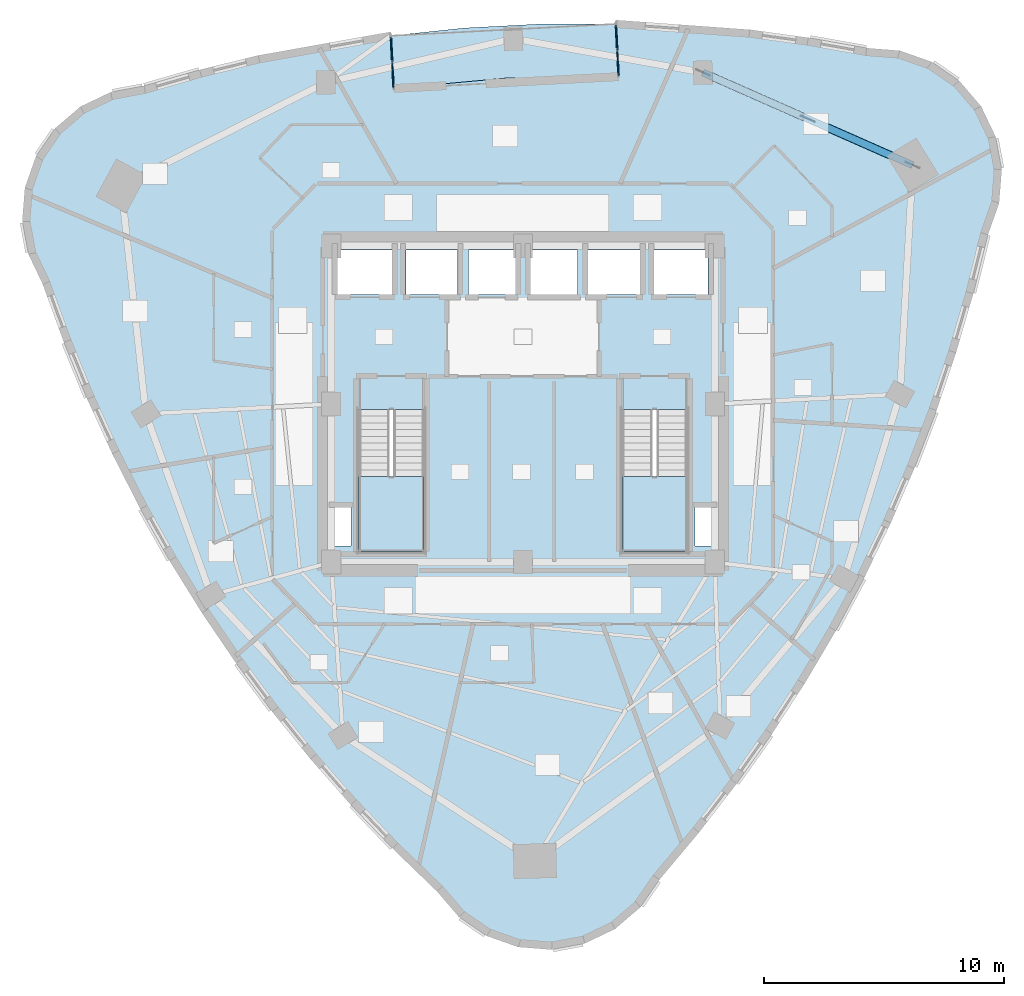
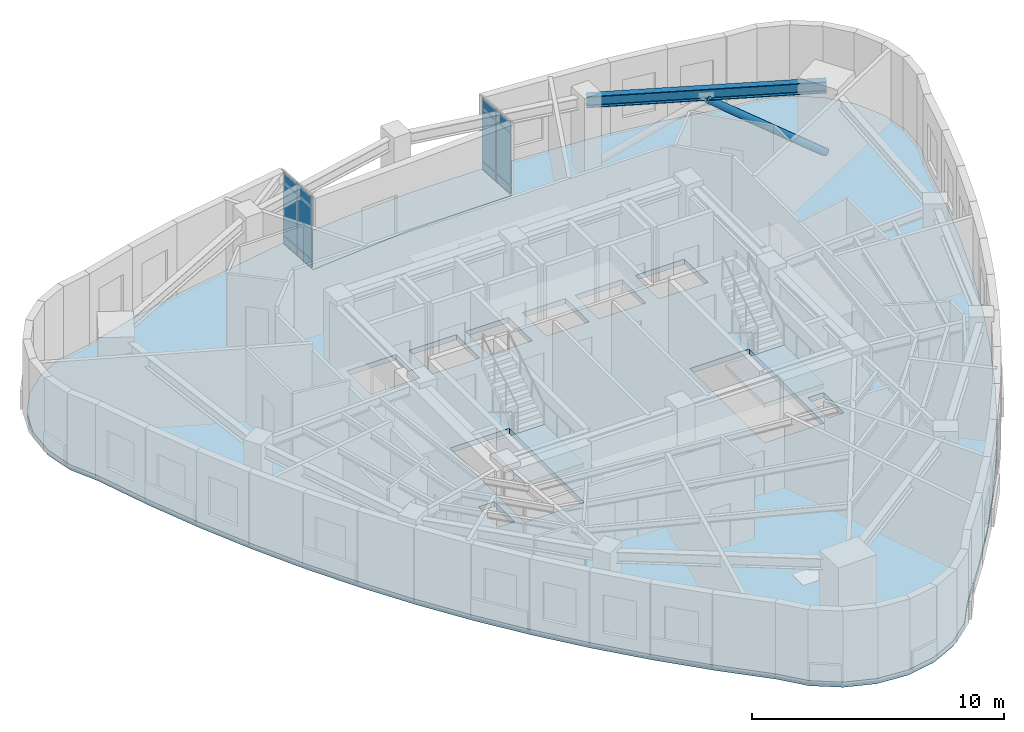
# One storey, part 4 of 12: 12 plates, 4 slabs, 1 beam, 1 member, 4 elements without a shape of their own.
"""IFC4 building model written with IfcOpenShell, lengths in metres."""

import ifcopenshell
import ifcopenshell.guid

model = None  # the IFC model being written
_history = None  # IfcOwnerHistory: only IFC2X3 demands one
_inside = {}  # id of a spatial element -> (the spatial element, [elements in it])
_under = {}  # id of a project, library or spatial element -> (it, [spatial elements below it])
_declared = {}  # id of a project -> (the project, [libraries it declares])
_typed = {}  # id of a type object -> (the type object, [elements of that type])
_made_of = {}  # id of a material, layer set ... -> (it, [elements and type objects made of it])


def new_model(schema):
    """Start an empty IFC model of exactly this schema.

    Asked for "IFC4X3", IfcOpenShell would pick the latest addendum, in which some entities
    have other attributes; the version numbers below select the first issue.
    IFC2X3 requires an IfcOwnerHistory on every rooted entity: one is made here for all.
    """
    global model, _history
    if schema == "IFC4X3":
        model = ifcopenshell.file(schema_version=(4, 3, 0, 0))
    else:
        model = ifcopenshell.file(schema=schema)
    _inside.clear()
    _under.clear()
    _declared.clear()
    _typed.clear()
    _made_of.clear()
    _history = None
    if model.schema == "IFC2X3":
        org = make("IfcOrganization", Name="unknown")
        user = make(
            "IfcPersonAndOrganization",
            ThePerson=make("IfcPerson", FamilyName="unknown"),
            TheOrganization=org,
        )
        app = make(
            "IfcApplication",
            ApplicationDeveloper=org,
            Version="unknown",
            ApplicationFullName="unknown",
            ApplicationIdentifier="unknown",
        )
        _history = make(
            "IfcOwnerHistory",
            OwningUser=user,
            OwningApplication=app,
            ChangeAction="ADDED",
            CreationDate=0,
        )
    return model


def make(cls, **values):
    """One entity of the class cls with the attributes given. An attribute that is None is left unset."""
    return model.create_entity(
        cls, **{name: value for name, value in values.items() if value is not None}
    )


def rooted(cls, **values):
    """An entity with a GlobalId (a new one), such as an element, a storey or a relation."""
    return make(cls, GlobalId=ifcopenshell.guid.new(), OwnerHistory=_history, **values)


def si_unit(unit_type, name, prefix=None):
    """IfcSIUnit, for example si_unit("LENGTHUNIT", "METRE", prefix="MILLI")."""
    return make("IfcSIUnit", UnitType=unit_type, Prefix=prefix, Name=name)


def assignment(units):
    """IfcUnitAssignment: the units of a project."""
    return None if units is None else make("IfcUnitAssignment", Units=units)


def point(xyz):
    """IfcCartesianPoint."""
    return None if xyz is None else make("IfcCartesianPoint", Coordinates=xyz)


def direction(xyz):
    """IfcDirection."""
    return None if xyz is None else make("IfcDirection", DirectionRatios=xyz)


def frame(location, z_axis=None, x_axis=None):
    """IfcAxis2Placement3D, a coordinate frame: its origin and axes. An axis left out is left unset."""
    return make(
        "IfcAxis2Placement3D",
        Location=point(location),
        Axis=direction(z_axis),
        RefDirection=direction(x_axis),
    )


def frame_2d(location, x_axis=None):
    """IfcAxis2Placement2D, a coordinate frame in the plane: its origin and x axis."""
    return make(
        "IfcAxis2Placement2D", Location=point(location), RefDirection=direction(x_axis)
    )


def origin():
    """The frame at (0, 0, 0) with its axes left unset."""
    return frame((0.0, 0.0, 0.0))


def origin_2d():
    """The frame at (0, 0) in the plane with its x axis left unset."""
    return frame_2d((0.0, 0.0))


def place(relative_to, where):
    """IfcLocalPlacement: puts the frame where relative to a parent placement (None: the world)."""
    return make(
        "IfcLocalPlacement", PlacementRelTo=relative_to, RelativePlacement=where
    )


def context(
    kind, dimensions, precision=None, world=None, true_north=None, identifier=None
):
    """IfcGeometricRepresentationContext, for example the 3D "Model" context."""
    return make(
        "IfcGeometricRepresentationContext",
        ContextIdentifier=identifier,
        ContextType=kind,
        CoordinateSpaceDimension=dimensions,
        Precision=precision,
        WorldCoordinateSystem=world,
        TrueNorth=true_north,
    )


def subcontext(parent, identifier, kind, view, scale=None):
    """IfcGeometricRepresentationSubContext, for example "Body" below "Model"."""
    return make(
        "IfcGeometricRepresentationSubContext",
        ContextIdentifier=identifier,
        ContextType=kind,
        ParentContext=parent,
        TargetScale=scale,
        TargetView=view,
    )


def project(units=None, contexts=None):
    """IfcProject with its units and contexts."""
    return rooted(
        "IfcProject",
        Name="project",
        RepresentationContexts=contexts,
        UnitsInContext=assignment(units),
    )


def spatial(cls, under=None, at=None, **own):
    """A site, building, storey or space (cls), placed at a placement, below another one or the project."""
    s = rooted(cls, ObjectPlacement=at, **own)
    if under is not None:
        _under.setdefault(under.id(), (under, []))[1].append(s)
    return s


def polyline(points):
    """IfcPolyline through the points."""
    return make("IfcPolyline", Points=[point(p) for p in points])


def profile(cls, at=None, kind="AREA", **sizes):
    """A parametric profile (cls). Its sizes go by their IFC names, for example OverallWidth=200.0."""
    return make(cls, ProfileType=kind, Position=at, **sizes)


def rectangle(**sizes):
    """IfcRectangleProfileDef."""
    return profile("IfcRectangleProfileDef", **sizes)


def hollow_circle(**sizes):
    """IfcCircleHollowProfileDef."""
    return profile("IfcCircleHollowProfileDef", **sizes)


def i_section(**sizes):
    """IfcIShapeProfileDef."""
    return profile("IfcIShapeProfileDef", **sizes)


def outline(outer, holes=None, kind="AREA"):
    """IfcArbitraryClosedProfileDef: a profile drawn as a closed curve; with holes, ...WithVoids."""
    if holes is None:
        return make("IfcArbitraryClosedProfileDef", ProfileType=kind, OuterCurve=outer)
    return make(
        "IfcArbitraryProfileDefWithVoids",
        ProfileType=kind,
        OuterCurve=outer,
        InnerCurves=holes,
    )


def extrude(swept, where, along, depth):
    """IfcExtrudedAreaSolid: the profile swept, set in the frame where, extruded along a direction by depth."""
    return make(
        "IfcExtrudedAreaSolid",
        SweptArea=swept,
        Position=where,
        ExtrudedDirection=direction(along),
        Depth=depth,
    )


def shape(context_of_items, identifier, shape_type, items):
    """IfcShapeRepresentation: the items that make up one representation, for example the "Body"."""
    return make(
        "IfcShapeRepresentation",
        ContextOfItems=context_of_items,
        RepresentationIdentifier=identifier,
        RepresentationType=shape_type,
        Items=items,
    )


def material(Name=None, Category=None):
    """IfcMaterial."""
    return make("IfcMaterial", Name=Name, Category=Category)


def layer(
    of_material, thickness, ventilated=None, Name=None, Category=None, Priority=None
):
    """IfcMaterialLayer: one layer of a wall or slab, of a material (None: an air gap)."""
    return make(
        "IfcMaterialLayer",
        Material=of_material,
        LayerThickness=thickness,
        IsVentilated=ventilated,
        Name=Name,
        Category=Category,
        Priority=Priority,
    )


def layer_set(layers, Name=None):
    """IfcMaterialLayerSet."""
    return make("IfcMaterialLayerSet", MaterialLayers=layers, LayerSetName=Name)


def material_profile(
    of_material, cross_section, Name=None, Category=None, Priority=None
):
    """IfcMaterialProfile: a cross section and its material."""
    return make(
        "IfcMaterialProfile",
        Name=Name,
        Material=of_material,
        Profile=cross_section,
        Priority=Priority,
        Category=Category,
    )


def profile_set(profiles, Name=None, composite=None):
    """IfcMaterialProfileSet."""
    return make(
        "IfcMaterialProfileSet",
        Name=Name,
        MaterialProfiles=profiles,
        CompositeProfile=composite,
    )


def made_of(thing, what):
    """Note that an element or type object is made of a material, layer set ...; save() writes the relation."""
    if what is not None:
        _made_of.setdefault(what.id(), (what, []))[1].append(thing)
    return thing


def type_object(cls, material=None, **own):
    """A type object (cls), such as IfcWallType, which elements share."""
    return made_of(rooted(cls, **own), material)


def element(
    cls,
    number,
    at=None,
    inside=None,
    cuts=None,
    type_object=None,
    material=None,
    context=None,
    identifier="Body",
    shape_type=None,
    held_by="IfcProductDefinitionShape",
    body=None,
    shapes=None,
    **own,
):
    """One element of the class cls, such as IfcWall. Its Tag is "e" and its number.

    at: its placement. inside: the storey or other place that contains it. cuts: it is an
    opening in that element (IfcRelVoidsElement). A single representation is given by context,
    identifier, shape_type and body (its items); several are given by shapes. held_by: the class
    of the entity that holds the representations. save() writes the other relations.
    """
    e = rooted(cls, Tag="e%d" % number, ObjectPlacement=at, **own)
    if body is not None:
        shapes = [shape(context, identifier, shape_type, body)]
    if shapes is not None:
        e.Representation = make(held_by, Representations=shapes)
    if inside is not None:
        _inside.setdefault(inside.id(), (inside, []))[1].append(e)
    if cuts is not None:
        rooted(
            "IfcRelVoidsElement", RelatingBuildingElement=cuts, RelatedOpeningElement=e
        )
    if type_object is not None:
        _typed.setdefault(type_object.id(), (type_object, []))[1].append(e)
    return made_of(e, material)


def aggregate(whole, parts):
    """IfcRelAggregates: a whole, such as a stair, and the parts it consists of."""
    return rooted("IfcRelAggregates", RelatingObject=whole, RelatedObjects=parts)


def save(model, path):
    """Write the relations noted so far, then the file.

    IfcRelAggregates (storeys below a building ...), IfcRelContainedInSpatialStructure (elements
    in a storey), IfcRelDefinesByType, IfcRelAssociatesMaterial and IfcRelDeclares: one each for
    every whole, place, type object, material and project.
    """
    for whole, parts in _under.values():
        aggregate(whole, parts)
    for where, things in _inside.values():
        rooted(
            "IfcRelContainedInSpatialStructure",
            RelatedElements=things,
            RelatingStructure=where,
        )
    for kind, things in _typed.values():
        rooted("IfcRelDefinesByType", RelatedObjects=things, RelatingType=kind)
    for what, things in _made_of.values():
        rooted("IfcRelAssociatesMaterial", RelatedObjects=things, RelatingMaterial=what)
    for by, libraries in _declared.values():
        rooted("IfcRelDeclares", RelatingContext=by, RelatedDefinitions=libraries)
    model.write(path)


model = new_model("IFC4")

# Units and contexts
model_context = context("Model", 3, precision=1e-05, world=origin(), true_north=direction((0.0, 1.0)))
body_context = subcontext(model_context, "Body", "Model", "MODEL_VIEW")
ifc_project = project(units=[si_unit("LENGTHUNIT", "METRE"), si_unit("AREAUNIT", "SQUARE_METRE"), si_unit("VOLUMEUNIT", "CUBIC_METRE"), si_unit("PLANEANGLEUNIT", "RADIAN"), si_unit("MASSUNIT", "GRAM", prefix="KILO")], contexts=[model_context])

# Site, building, storey
site_placement = place(None, origin())
site = spatial("IfcSite", under=ifc_project, at=site_placement, CompositionType="ELEMENT")
building_placement = place(site_placement, origin())
building = spatial("IfcBuilding", under=site, at=building_placement, Name="Ndelora Gate Hotel", CompositionType="ELEMENT")
storey_placement = place(building_placement, frame((0.0, 0.0, 220.75)))
storey = spatial("IfcBuildingStorey", under=building, at=storey_placement, Name="L55", CompositionType="ELEMENT", Elevation=220.75)

# Beam
ifc_material_1 = material(Name="Steel S355", Category="steel")
ifc_material_profile_1 = material_profile(ifc_material_1, i_section(OverallWidth=0.300048828125, OverallDepth=0.550048828125, WebThickness=0.014892578125, FlangeThickness=0.029052734375, FilletRadius=0.027099609375, at=origin_2d()), Name="HEB 550")
ifc_profile_set_1 = profile_set([ifc_material_profile_1], Name="Steel S355")
beam_type = type_object("IfcBeamType", Name="BM-RING-550", PredefinedType="SPANDREL", material=ifc_profile_set_1)
beam_placement = place(storey_placement, frame((16.26025390625, 9.96435546875, 3.27490234375), z_axis=(-0.914807449647, 0.403890245078, 0.0), x_axis=(-0.403890245078, -0.914807449647, 0.0)))
element("IfcBeam", 1, at=beam_placement, inside=storey, type_object=beam_type, Name="L55 Perimeter Spandrel Girder 9", PredefinedType="SPANDREL", context=body_context, shape_type="SweptSolid", body=[
    extrude(i_section(OverallWidth=0.300048828125, OverallDepth=0.550048828125, WebThickness=0.014892578125, FlangeThickness=0.029052734375, FilletRadius=0.027099609375, at=origin_2d()), origin(), (0.0, 0.0, 1.0), 9.56689453125),
])

# Member
ifc_material_profile_2 = material_profile(ifc_material_1, hollow_circle(Radius=0.161865234375, WallThickness=0.01611328125, at=origin_2d()), Name="CHS 323.9x16")
ifc_profile_set_2 = profile_set([ifc_material_profile_2], Name="Steel S355")
member_type = type_object("IfcMemberType", Name="MB-TUBE-324", PredefinedType="BRACE", material=ifc_profile_set_2)
member_placement = place(storey_placement, frame((16.26025390625, 9.96435546875, 0.02001953125), z_axis=(-0.776456490622, 0.342829539544, 0.528756300186), x_axis=(-0.403911600956, -0.914798020665, 0.0)))
element("IfcMember", 2, at=member_placement, inside=storey, type_object=member_type, Name="L55 Perimeter Braced-Tube Diagonal 9A", PredefinedType="BRACE", context=body_context, shape_type="SweptSolid", body=[
    extrude(hollow_circle(Radius=0.161865234375, WallThickness=0.01611328125, at=origin_2d()), origin(), (0.0, 0.0, 1.0), 5.6357421875),
])

# Curtain wall, plates
ifc_material_2 = material(Name="Bronze Anodised Unitised Aluminium and Low-E Glass", Category="aluminium")
ifc_layer_1 = layer(ifc_material_2, 0.199951171875)
ifc_layer_set_1 = layer_set([ifc_layer_1], Name="Bronze Anodised Unitised Aluminium and Low-E Glass")
curtain_wall_type = type_object("IfcCurtainWallType", Name="CW-SYS-3", PredefinedType="NOTDEFINED", material=ifc_layer_set_1)
curtain_wall_1_placement = place(storey_placement, origin())
curtain_wall_1 = element("IfcCurtainWall", 3, at=curtain_wall_1_placement, inside=storey, type_object=curtain_wall_type, Name="L55 Sky-Garden Loggia Side Curtain Wall CW3-1", PredefinedType="NOTDEFINED")
ifc_material_3 = material(Name="Solar-Control Low-E Insulated Glazing", Category="glass")
ifc_layer_2 = layer(ifc_material_3, 0.048095703125)
ifc_layer_set_2 = layer_set([ifc_layer_2], Name="Solar-Control Low-E Insulated Glazing")
plate_type = type_object("IfcPlateType", Name="PL-CW-GLZ36", PredefinedType="CURTAIN_PANEL", material=ifc_layer_set_2)
plate_1_placement = place(storey_placement, frame((3.961181640625, 14.222900390625, 0.05908203125), z_axis=(0.0, 0.0, 1.0), x_axis=(-0.052317873695, 0.998630482257, 0.0)))
plate_1 = element("IfcPlate", 4, at=plate_1_placement, type_object=plate_type, Name="CW3 panel 1.1", PredefinedType="CURTAIN_PANEL", context=body_context, shape_type="SweptSolid", body=[
    extrude(rectangle(XDim=1.014404296875, YDim=0.048095703125, at=origin_2d()), origin(), (0.0, 0.0, 1.0), 0.364501953125),
])
plate_2_placement = place(storey_placement, frame((3.961181640625, 14.222900390625, 0.4765625), z_axis=(0.0, 0.0, 1.0), x_axis=(-0.052317873695, 0.998630482257, 0.0)))
plate_2 = element("IfcPlate", 5, at=plate_2_placement, type_object=plate_type, Name="CW3 panel 1.2", PredefinedType="CURTAIN_PANEL", context=body_context, shape_type="SweptSolid", body=[
    extrude(rectangle(XDim=1.014404296875, YDim=0.048095703125, at=origin_2d()), origin(), (0.0, 0.0, 1.0), 2.4970703125),
])
plate_3_placement = place(storey_placement, frame((3.961181640625, 14.222900390625, 3.0263671875), z_axis=(0.0, 0.0, 1.0), x_axis=(-0.052317873695, 0.998630482257, 0.0)))
plate_3 = element("IfcPlate", 6, at=plate_3_placement, type_object=plate_type, Name="CW3 panel 1.3", PredefinedType="CURTAIN_PANEL", context=body_context, shape_type="SweptSolid", body=[
    extrude(rectangle(XDim=1.014404296875, YDim=0.048095703125, at=origin_2d()), origin(), (0.0, 0.0, 1.0), 0.464599609375),
])
plate_4_placement = place(storey_placement, frame((3.9052734375, 15.2890625, 0.05908203125), z_axis=(0.0, 0.0, 1.0), x_axis=(-0.052317873695, 0.998630482257, 0.0)))
plate_4 = element("IfcPlate", 7, at=plate_4_placement, type_object=plate_type, Name="CW3 panel 2.1", PredefinedType="CURTAIN_PANEL", context=body_context, shape_type="SweptSolid", body=[
    extrude(rectangle(XDim=1.014404296875, YDim=0.048095703125, at=origin_2d()), origin(), (0.0, 0.0, 1.0), 0.364501953125),
])
plate_5_placement = place(storey_placement, frame((3.9052734375, 15.2890625, 0.4765625), z_axis=(0.0, 0.0, 1.0), x_axis=(-0.052317873695, 0.998630482257, 0.0)))
plate_5 = element("IfcPlate", 8, at=plate_5_placement, type_object=plate_type, Name="CW3 panel 2.2", PredefinedType="CURTAIN_PANEL", context=body_context, shape_type="SweptSolid", body=[
    extrude(rectangle(XDim=1.014404296875, YDim=0.048095703125, at=origin_2d()), origin(), (0.0, 0.0, 1.0), 2.4970703125),
])
plate_6_placement = place(storey_placement, frame((3.9052734375, 15.2890625, 3.0263671875), z_axis=(0.0, 0.0, 1.0), x_axis=(-0.052317873695, 0.998630482257, 0.0)))
plate_6 = element("IfcPlate", 9, at=plate_6_placement, type_object=plate_type, Name="CW3 panel 2.3", PredefinedType="CURTAIN_PANEL", context=body_context, shape_type="SweptSolid", body=[
    extrude(rectangle(XDim=1.014404296875, YDim=0.048095703125, at=origin_2d()), origin(), (0.0, 0.0, 1.0), 0.464599609375),
])
aggregate(curtain_wall_1, [plate_1, plate_2, plate_3, plate_4, plate_5, plate_6])

curtain_wall_2_placement = place(storey_placement, origin())
curtain_wall_2 = element("IfcCurtainWall", 10, at=curtain_wall_2_placement, inside=storey, type_object=curtain_wall_type, Name="L55 Sky-Garden Loggia Side Curtain Wall CW3-2", PredefinedType="NOTDEFINED")
plate_7_placement = place(storey_placement, frame((-5.48193359375, 14.797119140625, 0.05908203125), z_axis=(0.0, 0.0, 1.0), x_axis=(0.052363203389, -0.998628106419, 0.0)))
plate_7 = element("IfcPlate", 11, at=plate_7_placement, type_object=plate_type, Name="CW3 panel 1.1", PredefinedType="CURTAIN_PANEL", context=body_context, shape_type="SweptSolid", body=[
    extrude(rectangle(XDim=1.014404296875, YDim=0.048095703125, at=origin_2d()), origin(), (0.0, 0.0, 1.0), 0.364501953125),
])
plate_8_placement = place(storey_placement, frame((-5.48193359375, 14.797119140625, 0.4765625), z_axis=(0.0, 0.0, 1.0), x_axis=(0.052363203389, -0.998628106419, 0.0)))
plate_8 = element("IfcPlate", 12, at=plate_8_placement, type_object=plate_type, Name="CW3 panel 1.2", PredefinedType="CURTAIN_PANEL", context=body_context, shape_type="SweptSolid", body=[
    extrude(rectangle(XDim=1.014404296875, YDim=0.048095703125, at=origin_2d()), origin(), (0.0, 0.0, 1.0), 2.4970703125),
])
plate_9_placement = place(storey_placement, frame((-5.48193359375, 14.797119140625, 3.0263671875), z_axis=(0.0, 0.0, 1.0), x_axis=(0.052363203389, -0.998628106419, 0.0)))
plate_9 = element("IfcPlate", 13, at=plate_9_placement, type_object=plate_type, Name="CW3 panel 1.3", PredefinedType="CURTAIN_PANEL", context=body_context, shape_type="SweptSolid", body=[
    extrude(rectangle(XDim=1.014404296875, YDim=0.048095703125, at=origin_2d()), origin(), (0.0, 0.0, 1.0), 0.464599609375),
])
plate_10_placement = place(storey_placement, frame((-5.426025390625, 13.73095703125, 0.05908203125), z_axis=(0.0, 0.0, 1.0), x_axis=(0.052363203389, -0.998628106419, 0.0)))
plate_10 = element("IfcPlate", 14, at=plate_10_placement, type_object=plate_type, Name="CW3 panel 2.1", PredefinedType="CURTAIN_PANEL", context=body_context, shape_type="SweptSolid", body=[
    extrude(rectangle(XDim=1.014404296875, YDim=0.048095703125, at=origin_2d()), origin(), (0.0, 0.0, 1.0), 0.364501953125),
])
plate_11_placement = place(storey_placement, frame((-5.426025390625, 13.73095703125, 0.4765625), z_axis=(0.0, 0.0, 1.0), x_axis=(0.052363203389, -0.998628106419, 0.0)))
plate_11 = element("IfcPlate", 15, at=plate_11_placement, type_object=plate_type, Name="CW3 panel 2.2", PredefinedType="CURTAIN_PANEL", context=body_context, shape_type="SweptSolid", body=[
    extrude(rectangle(XDim=1.014404296875, YDim=0.048095703125, at=origin_2d()), origin(), (0.0, 0.0, 1.0), 2.4970703125),
])
plate_12_placement = place(storey_placement, frame((-5.426025390625, 13.73095703125, 3.0263671875), z_axis=(0.0, 0.0, 1.0), x_axis=(0.052363203389, -0.998628106419, 0.0)))
plate_12 = element("IfcPlate", 16, at=plate_12_placement, type_object=plate_type, Name="CW3 panel 2.3", PredefinedType="CURTAIN_PANEL", context=body_context, shape_type="SweptSolid", body=[
    extrude(rectangle(XDim=1.014404296875, YDim=0.048095703125, at=origin_2d()), origin(), (0.0, 0.0, 1.0), 0.464599609375),
])
aggregate(curtain_wall_2, [plate_7, plate_8, plate_9, plate_10, plate_11, plate_12])

# Stair, slab
ifc_material_4 = material(Name="Precast concrete C40/50", Category="concrete")
stair_type = type_object("IfcStairType", Name="STR-DOG-CORE", PredefinedType="HALF_TURN_STAIR", material=ifc_material_4)
stair_1_placement = place(storey_placement, origin())
stair_1 = element("IfcStair", 17, at=stair_1_placement, inside=storey, type_object=stair_type, Name="L55 Protected Core Exit Stair ST4", PredefinedType="HALF_TURN_STAIR")
ifc_layer_3 = layer(ifc_material_4, 0.219970703125)
ifc_layer_set_3 = layer_set([ifc_layer_3], Name="Precast concrete C40/50")
slab_type_1 = type_object("IfcSlabType", Name="SL-LAND-220", PredefinedType="LANDING", material=ifc_layer_set_3)
slab_1_placement = place(storey_placement, frame((0.0, 0.0, 1.699951171875)))
slab_1 = element("IfcSlab", 18, at=slab_1_placement, type_object=slab_type_1, Name="ST4 landing 1", PredefinedType="LANDING", context=body_context, shape_type="SweptSolid", body=[
    extrude(outline(polyline([(-6.85009765625, -3.030029296875), (-6.85009765625, -6.14990234375), (-4.1298828125, -6.14990234375), (-4.1298828125, -3.030029296875), (-6.85009765625, -3.030029296875)])), origin(), (0.0, 0.0, 1.0), 0.199951171875),
])
aggregate(stair_1, [slab_1])

stair_2_placement = place(storey_placement, origin())
stair_2 = element("IfcStair", 19, at=stair_2_placement, inside=storey, type_object=stair_type, Name="L55 Protected Core Exit Stair ST5", PredefinedType="HALF_TURN_STAIR")
slab_2_placement = place(storey_placement, frame((0.0, 0.0, 1.699951171875)))
slab_2 = element("IfcSlab", 20, at=slab_2_placement, type_object=slab_type_1, Name="ST5 landing 1", PredefinedType="LANDING", context=body_context, shape_type="SweptSolid", body=[
    extrude(outline(polyline([(4.1298828125, -3.030029296875), (4.1298828125, -6.14990234375), (6.85009765625, -6.14990234375), (6.85009765625, -3.030029296875), (4.1298828125, -3.030029296875)])), origin(), (0.0, 0.0, 1.0), 0.199951171875),
])
aggregate(stair_2, [slab_2])

# Slabs
ifc_layer_4 = layer(ifc_material_4, 0.239990234375)
ifc_layer_set_4 = layer_set([ifc_layer_4], Name="Precast concrete C40/50")
slab_type_2 = type_object("IfcSlabType", Name="SL-TER-240", PredefinedType="FLOOR", material=ifc_layer_set_4)
slab_3_placement = place(storey_placement, frame((0.0, 0.0, -0.239990234375)))
element("IfcSlab", 21, at=slab_3_placement, inside=storey, type_object=slab_type_2, Name="L55 Sky Garden Loggia Terrace Slab", PredefinedType="FLOOR", context=body_context, shape_type="SweptSolid", body=[
    extrude(outline(polyline([(3.99072265625, 13.657470703125), (3.87548828125, 15.8544921875), (0.769287109375, 15.854736328125), (-2.42236328125, 15.6875), (-5.51171875, 15.362548828125), (-5.396484375, 13.16552734375), (-0.71240234375, 13.595458984375), (3.99072265625, 13.657470703125)])), origin(), (0.0, 0.0, 1.0), 0.239990234375),
])
ifc_material_5 = material(Name="Concrete C40/50", Category="concrete")
ifc_layer_5 = layer(ifc_material_5, 0.25)
ifc_layer_set_5 = layer_set([ifc_layer_5], Name="Concrete C40/50")
slab_type_3 = type_object("IfcSlabType", Name="SL-TWR-250", PredefinedType="FLOOR", material=ifc_layer_set_5)
slab_4_placement = place(storey_placement, frame((0.0, 0.0, -0.25)))
element("IfcSlab", 22, at=slab_4_placement, inside=storey, type_object=slab_type_3, Name="L55 Structural Floor Slab", PredefinedType="FLOOR", context=body_context, shape_type="SweptSolid", body=[
    extrude(outline(polyline([(-15.80078125, 13.10498046875), (-17.135498046875, 12.85791015625), (-18.36083984375, 12.2734375), (-19.39306640625, 11.391845703125), (-20.161865234375, 10.27294921875), (-20.614990234375, 8.993408203125), (-20.7216796875, 7.64013671875), (-20.47412109375, 6.305419921875), (-19.889892578125, 5.080078125), (-19.006591796875, 2.654296875), (-18.034912109375, 0.285888671875), (-16.974609375, -2.025146484375), (-15.825927734375, -4.278564453125), (-14.588623046875, -6.474609375), (-13.262939453125, -8.613037109375), (-11.848388671875, -10.694091796875), (-10.345703125, -12.717529296875), (-8.75439453125, -14.68359375), (-7.074462890625, -16.592041015625), (-5.305908203125, -18.443115234375), (-3.448974609375, -20.236572265625), (-2.5673828125, -21.268798828125), (-1.448486328125, -22.03759765625), (-0.1689453125, -22.49072265625), (1.184326171875, -22.597412109375), (2.51904296875, -22.349853515625), (3.744140625, -21.765380859375), (4.776611328125, -20.8837890625), (5.54541015625, -19.76513671875), (7.20458984375, -17.787353515625), (8.77001953125, -15.76171875), (10.2412109375, -13.68798828125), (11.618408203125, -11.56640625), (12.9013671875, -9.39697265625), (14.090576171875, -7.179443359375), (15.185546875, -4.9140625), (16.1865234375, -2.600830078125), (17.093505859375, -0.23974609375), (17.90625, 2.16943359375), (18.625, 4.62646484375), (19.249755859375, 7.13134765625), (19.702880859375, 8.410888671875), (19.8095703125, 9.764404296875), (19.56201171875, 11.09912109375), (18.977783203125, 12.32421875), (18.09619140625, 13.3564453125), (16.977294921875, 14.12548828125), (15.69775390625, 14.57861328125), (14.344482421875, 14.68505859375), (11.903564453125, 15.1171875), (9.4677734375, 15.452392578125), (3.87548828125, 15.8544921875), (3.99072265625, 13.657470703125), (-0.71240234375, 13.595458984375), (-5.396484375, 13.16552734375), (-5.51171875, 15.362548828125), (-11.031005859375, 14.3779296875), (-13.41845703125, 13.7900390625), (-15.80078125, 13.10498046875)]), holes=[polyline([(-6.85009765625, -0.22998046875), (-6.85009765625, -6.14990234375), (-4.1298828125, -6.14990234375), (-4.1298828125, -0.22998046875), (-6.85009765625, -0.22998046875)]), polyline([(4.1298828125, -0.22998046875), (4.1298828125, -6.14990234375), (6.85009765625, -6.14990234375), (6.85009765625, -0.22998046875), (4.1298828125, -0.22998046875)]), polyline([(-7.72998046875, 4.570068359375), (-5.469970703125, 4.570068359375), (-5.469970703125, 6.429931640625), (-7.72998046875, 6.429931640625), (-7.72998046875, 4.570068359375)]), polyline([(5.469970703125, 4.570068359375), (7.72998046875, 4.570068359375), (7.72998046875, 6.429931640625), (5.469970703125, 6.429931640625), (5.469970703125, 4.570068359375)]), polyline([(-4.8798828125, 4.570068359375), (-2.719970703125, 4.570068359375), (-2.719970703125, 6.429931640625), (-4.8798828125, 6.429931640625), (-4.8798828125, 4.570068359375)]), polyline([(2.719970703125, 4.570068359375), (4.8798828125, 4.570068359375), (4.8798828125, 6.429931640625), (2.719970703125, 6.429931640625), (2.719970703125, 4.570068359375)]), polyline([(-2.280029296875, 4.570068359375), (-0.320068359375, 4.570068359375), (-0.320068359375, 6.429931640625), (-2.280029296875, 6.429931640625), (-2.280029296875, 4.570068359375)]), polyline([(0.320068359375, 4.570068359375), (2.280029296875, 4.570068359375), (2.280029296875, 6.429931640625), (0.320068359375, 6.429931640625), (0.320068359375, 4.570068359375)]), polyline([(-7.89990234375, -5.919921875), (-7.179931640625, -5.919921875), (-7.179931640625, -4.320068359375), (-7.89990234375, -4.320068359375), (-7.89990234375, -5.919921875)]), polyline([(7.179931640625, -5.919921875), (7.89990234375, -5.919921875), (7.89990234375, -4.320068359375), (7.179931640625, -4.320068359375), (7.179931640625, -5.919921875)])]), origin(), (0.0, 0.0, 1.0), 0.25),
])

save(model, "model.ifc")
